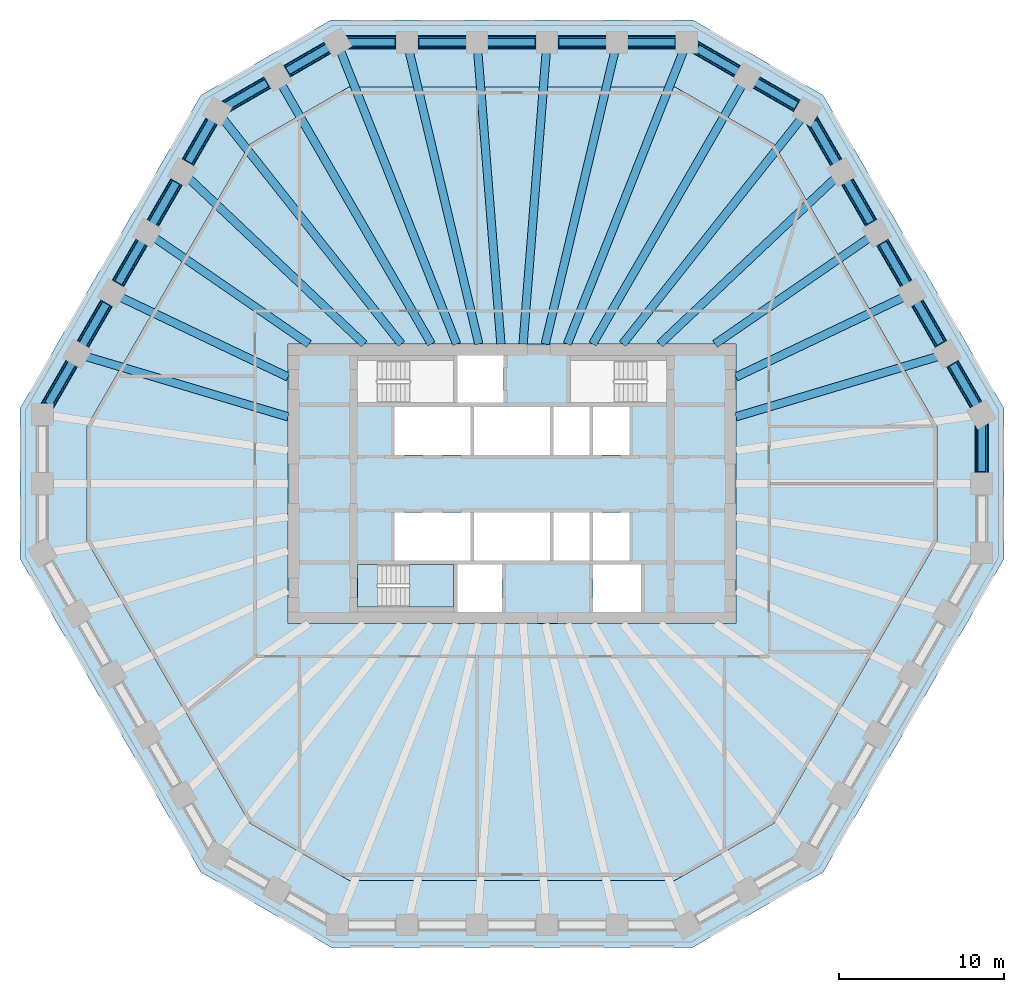
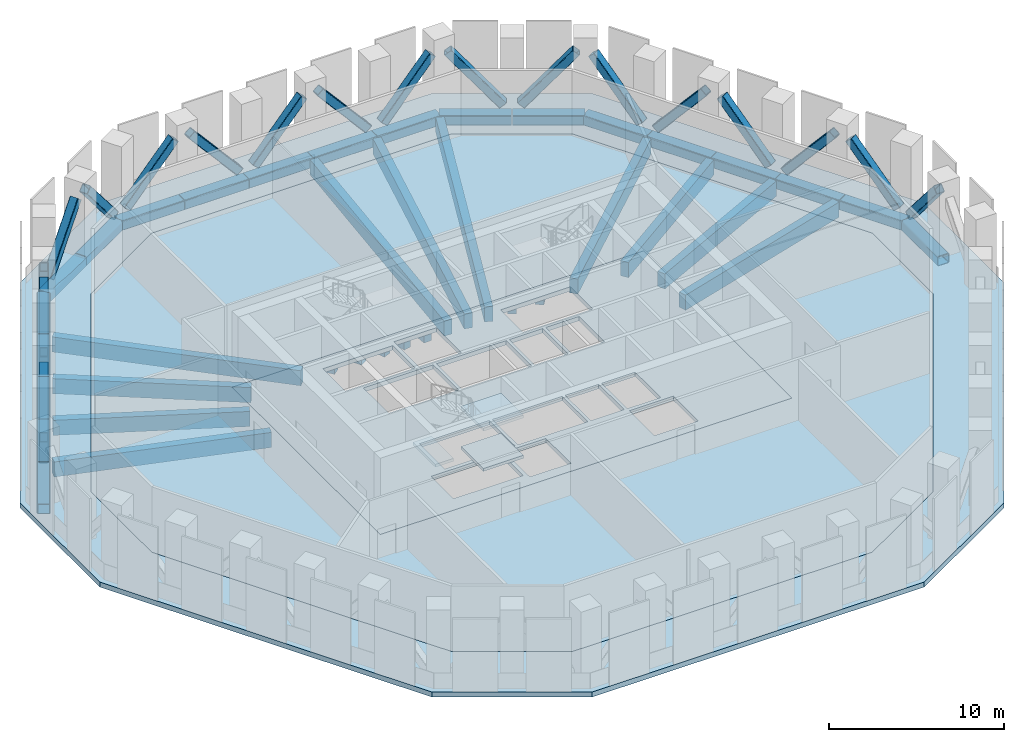
# One storey, part 2 of 8: 38 beams, 20 members, 6 slabs, 1 element without a shape of its own.
"""IFC4 building model written with IfcOpenShell, lengths in metres."""

from ifc_helpers import new_model, si_unit, direction, frame, origin, origin_2d, place, context, subcontext, project, spatial, polyline, rectangle, hollow_rectangle, outline, extrude, material, layer, layer_set, material_profile, profile_set, type_object, element, aggregate, save


model = new_model("IFC4")

# Units and contexts
model_context = context("Model", 3, precision=1e-05, world=origin(), true_north=direction((0.0, 1.0)))
body_context = subcontext(model_context, "Body", "Model", "MODEL_VIEW")
ifc_project = project(units=[si_unit("LENGTHUNIT", "METRE"), si_unit("AREAUNIT", "SQUARE_METRE"), si_unit("VOLUMEUNIT", "CUBIC_METRE"), si_unit("PLANEANGLEUNIT", "RADIAN"), si_unit("MASSUNIT", "GRAM", prefix="KILO")], contexts=[model_context])

# Site, building, storey
site_placement = place(None, origin())
site = spatial("IfcSite", under=ifc_project, at=site_placement, CompositionType="ELEMENT")
building_placement = place(site_placement, origin())
building = spatial("IfcBuilding", under=site, at=building_placement, Name="Frailejon Research Tower", CompositionType="ELEMENT")
storey_placement = place(building_placement, frame((0.0, 0.0, 139.60009765625)))
storey = spatial("IfcBuildingStorey", under=building, at=storey_placement, Name="L30", CompositionType="ELEMENT", Elevation=139.60009765625)

# Beams
ifc_material_1 = material(Name="Concrete C60/75", Category="concrete")
ifc_material_profile_1 = material_profile(ifc_material_1, rectangle(XDim=0.5, YDim=1.050048828125, at=origin_2d()), Name="Girder 500x1050")
ifc_profile_set_1 = profile_set([ifc_material_profile_1], Name="Concrete C60/75")
beam_type_1 = type_object("IfcBeamType", Name="Girder 500x1050", PredefinedType="BEAM", material=ifc_profile_set_1)
beam_1_placement = place(storey_placement, frame((25.775634765625, 7.697021484375, -0.8251953125), z_axis=(-0.9581878537, -0.286139890651, 0.0), x_axis=(0.286139890651, -0.9581878537, 0.0)))
element("IfcBeam", 1, at=beam_1_placement, inside=storey, type_object=beam_type_1, Name="Girder 500x1050", PredefinedType="BEAM", context=body_context, shape_type="SweptSolid", body=[
    extrude(rectangle(XDim=0.5, YDim=1.050048828125, at=origin_2d()), origin(), (0.0, 0.0, 1.0), 12.759033203125),
])
beam_2_placement = place(storey_placement, frame((23.705078125, 11.290771484375, -0.8251953125), z_axis=(-0.902819592178, -0.430019515813, 0.0), x_axis=(0.430019515813, -0.902819592178, 0.0)))
element("IfcBeam", 2, at=beam_2_placement, inside=storey, type_object=beam_type_1, Name="Girder 500x1050", PredefinedType="BEAM", context=body_context, shape_type="SweptSolid", body=[
    extrude(rectangle(XDim=0.5, YDim=1.050048828125, at=origin_2d()), origin(), (0.0, 0.0, 1.0), 11.248046875),
])
beam_3_placement = place(storey_placement, frame((21.630615234375, 14.8837890625, -0.8251953125), z_axis=(-0.82380963272, -0.566866553112, 0.0), x_axis=(0.566866553112, -0.82380963272, 0.0)))
element("IfcBeam", 3, at=beam_3_placement, inside=storey, type_object=beam_type_1, Name="Girder 500x1050", PredefinedType="BEAM", context=body_context, shape_type="SweptSolid", body=[
    extrude(rectangle(XDim=0.5, YDim=1.050048828125, at=origin_2d()), origin(), (0.0, 0.0, 1.0), 11.349853515625),
])
beam_4_placement = place(storey_placement, frame((19.5537109375, 18.47412109375, -0.8251953125), z_axis=(-0.726885115271, -0.686759076531, 0.0), x_axis=(0.686759076531, -0.726885115271, 0.0)))
element("IfcBeam", 4, at=beam_4_placement, inside=storey, type_object=beam_type_1, Name="Girder 500x1050", PredefinedType="BEAM", context=body_context, shape_type="SweptSolid", body=[
    extrude(rectangle(XDim=0.5, YDim=1.050048828125, at=origin_2d()), origin(), (0.0, 0.0, 1.0), 14.596435546875),
])
beam_5_placement = place(storey_placement, frame((17.50244140625, 22.09521484375, -0.8251953125), z_axis=(-0.620926719601, -0.783868617107, 0.0), x_axis=(0.783868617107, -0.620926719601, 0.0)))
element("IfcBeam", 5, at=beam_5_placement, inside=storey, type_object=beam_type_1, Name="Girder 500x1050", PredefinedType="BEAM", context=body_context, shape_type="SweptSolid", body=[
    extrude(rectangle(XDim=0.5, YDim=1.050048828125, at=origin_2d()), origin(), (0.0, 0.0, 1.0), 17.407470703125),
])
beam_6_placement = place(storey_placement, frame((13.94384765625, 24.151611328125, -0.8251953125), z_axis=(-0.499992877875, -0.866029515706, 0.0), x_axis=(0.866029515706, -0.499992877875, 0.0)))
element("IfcBeam", 6, at=beam_6_placement, inside=storey, type_object=beam_type_1, Name="Girder 500x1050", PredefinedType="BEAM", context=body_context, shape_type="SweptSolid", body=[
    extrude(rectangle(XDim=0.5, YDim=1.050048828125, at=origin_2d()), origin(), (0.0, 0.0, 1.0), 18.130615234375),
])
beam_7_placement = place(storey_placement, frame((10.36767578125, 26.16455078125, -0.8251953125), z_axis=(-0.36837774058, -0.929676201828, 0.0), x_axis=(0.929676201828, -0.36837774058, 0.0)))
element("IfcBeam", 7, at=beam_7_placement, inside=storey, type_object=beam_type_1, Name="Girder 500x1050", PredefinedType="BEAM", context=body_context, shape_type="SweptSolid", body=[
    extrude(rectangle(XDim=0.5, YDim=1.050048828125, at=origin_2d()), origin(), (0.0, 0.0, 1.0), 19.0546875),
])
beam_8_placement = place(storey_placement, frame((6.22216796875, 26.1708984375, -0.8251953125), z_axis=(-0.231301595685, -0.972882095546, 0.0), x_axis=(0.972882095546, -0.231301595685, 0.0)))
element("IfcBeam", 8, at=beam_8_placement, inside=storey, type_object=beam_type_1, Name="Girder 500x1050", PredefinedType="BEAM", context=body_context, shape_type="SweptSolid", body=[
    extrude(rectangle(XDim=0.5, YDim=1.050048828125, at=origin_2d()), origin(), (0.0, 0.0, 1.0), 18.21484375),
])
for number, where, z_axis, x_axis, name in (
    (9, (2.074462890625, 26.174560546875, -0.8251953125), (-0.079008439283, -0.996873947158, 0.0), (0.996873947158, -0.079008439283, 0.0), "Girder 500x1050"),
    (10, (-2.074462890625, 26.174560546875, -0.8251953125), (0.079008439283, -0.996873947158, 0.0), (0.996873947158, 0.079008439283, 0.0), "Girder 500x1050"),
):
    element("IfcBeam", number, at=place(storey_placement, frame(where, z_axis=z_axis, x_axis=x_axis)), inside=storey, type_object=beam_type_1, Name=name, PredefinedType="BEAM", context=body_context, shape_type="SweptSolid", body=[
        extrude(rectangle(XDim=0.5, YDim=1.050048828125, at=origin_2d()), origin(), (0.0, 0.0, 1.0), 17.7802734375),
    ])
beam_9_placement = place(storey_placement, frame((-6.22216796875, 26.1708984375, -0.8251953125), z_axis=(0.231301595685, -0.972882095546, 0.0), x_axis=(0.972882095546, 0.231301595685, 0.0)))
element("IfcBeam", 11, at=beam_9_placement, inside=storey, type_object=beam_type_1, Name="Girder 500x1050", PredefinedType="BEAM", context=body_context, shape_type="SweptSolid", body=[
    extrude(rectangle(XDim=0.5, YDim=1.050048828125, at=origin_2d()), origin(), (0.0, 0.0, 1.0), 18.21484375),
])
beam_10_placement = place(storey_placement, frame((-10.3837890625, 26.205078125, -0.8251953125), z_axis=(0.368380211647, -0.929675222681, 0.0), x_axis=(0.929675222681, 0.368380211647, 0.0)))
element("IfcBeam", 12, at=beam_10_placement, inside=storey, type_object=beam_type_1, Name="Girder 500x1050", PredefinedType="BEAM", context=body_context, shape_type="SweptSolid", body=[
    extrude(rectangle(XDim=0.5, YDim=1.050048828125, at=origin_2d()), origin(), (0.0, 0.0, 1.0), 19.09814453125),
])
beam_11_placement = place(storey_placement, frame((-13.94384765625, 24.151611328125, -0.8251953125), z_axis=(0.499992877875, -0.866029515706, 0.0), x_axis=(0.866029515706, 0.499992877875, 0.0)))
element("IfcBeam", 13, at=beam_11_placement, inside=storey, type_object=beam_type_1, Name="Girder 500x1050", PredefinedType="BEAM", context=body_context, shape_type="SweptSolid", body=[
    extrude(rectangle(XDim=0.5, YDim=1.050048828125, at=origin_2d()), origin(), (0.0, 0.0, 1.0), 18.130615234375),
])
beam_12_placement = place(storey_placement, frame((-17.47509765625, 22.060791015625, -0.8251953125), z_axis=(0.620924045573, -0.78387073528, 0.0), x_axis=(0.78387073528, 0.620924045573, 0.0)))
element("IfcBeam", 14, at=beam_12_placement, inside=storey, type_object=beam_type_1, Name="Girder 500x1050", PredefinedType="BEAM", context=body_context, shape_type="SweptSolid", body=[
    extrude(rectangle(XDim=0.5, YDim=1.050048828125, at=origin_2d()), origin(), (0.0, 0.0, 1.0), 17.363525390625),
])
beam_13_placement = place(storey_placement, frame((-19.5537109375, 18.47412109375, -0.8251953125), z_axis=(0.726885115271, -0.686759076531, 0.0), x_axis=(0.686759076531, 0.726885115271, 0.0)))
element("IfcBeam", 15, at=beam_13_placement, inside=storey, type_object=beam_type_1, Name="Girder 500x1050", PredefinedType="BEAM", context=body_context, shape_type="SweptSolid", body=[
    extrude(rectangle(XDim=0.5, YDim=1.050048828125, at=origin_2d()), origin(), (0.0, 0.0, 1.0), 14.596435546875),
])
beam_14_placement = place(storey_placement, frame((-21.630615234375, 14.8837890625, -0.8251953125), z_axis=(0.82380963272, -0.566866553112, 0.0), x_axis=(0.566866553112, 0.82380963272, 0.0)))
element("IfcBeam", 16, at=beam_14_placement, inside=storey, type_object=beam_type_1, Name="Girder 500x1050", PredefinedType="BEAM", context=body_context, shape_type="SweptSolid", body=[
    extrude(rectangle(XDim=0.5, YDim=1.050048828125, at=origin_2d()), origin(), (0.0, 0.0, 1.0), 11.349853515625),
])
beam_15_placement = place(storey_placement, frame((-23.705078125, 11.290771484375, -0.8251953125), z_axis=(0.902819592178, -0.430019515813, 0.0), x_axis=(0.430019515813, 0.902819592178, 0.0)))
element("IfcBeam", 17, at=beam_15_placement, inside=storey, type_object=beam_type_1, Name="Girder 500x1050", PredefinedType="BEAM", context=body_context, shape_type="SweptSolid", body=[
    extrude(rectangle(XDim=0.5, YDim=1.050048828125, at=origin_2d()), origin(), (0.0, 0.0, 1.0), 11.248046875),
])
beam_16_placement = place(storey_placement, frame((-25.775634765625, 7.697021484375, -0.8251953125), z_axis=(0.9581878537, -0.286139890651, 0.0), x_axis=(0.286139890651, 0.9581878537, 0.0)))
element("IfcBeam", 18, at=beam_16_placement, inside=storey, type_object=beam_type_1, Name="Girder 500x1050", PredefinedType="BEAM", context=body_context, shape_type="SweptSolid", body=[
    extrude(rectangle(XDim=0.5, YDim=1.050048828125, at=origin_2d()), origin(), (0.0, 0.0, 1.0), 12.759033203125),
])
ifc_material_2 = material(Name="Steel S355", Category="steel")
ifc_material_profile_2 = material_profile(ifc_material_2, hollow_rectangle(XDim=0.800048828125, YDim=0.699951171875, WallThickness=0.050048828125, InnerFilletRadius=0.050048828125, OuterFilletRadius=0.10009765625, at=origin_2d()), Name="Ring chord")
ifc_profile_set_2 = profile_set([ifc_material_profile_2], Name="Steel S355")
beam_type_2 = type_object("IfcBeamType", Name="Ring chord", PredefinedType="BEAM", material=ifc_profile_set_2)
beam_17_placement = place(storey_placement, frame((28.412841796875, 0.02001953125, -0.7001953125), z_axis=(0.0, 1.0, 0.0), x_axis=(-1.0, 0.0, 0.0)))
element("IfcBeam", 19, at=beam_17_placement, inside=storey, type_object=beam_type_2, Name="Ring chord", PredefinedType="BEAM", context=body_context, shape_type="SweptSolid", body=[
    extrude(hollow_rectangle(XDim=0.800048828125, YDim=0.699951171875, WallThickness=0.050048828125, InnerFilletRadius=0.050048828125, OuterFilletRadius=0.10009765625, at=origin_2d()), origin(), (0.0, 0.0, 1.0), 4.1474609375),
])
for number, where, z_axis, x_axis, name in (
    (20, (28.40283203125, 4.204833984375, -0.7001953125), (-0.499991329354, 0.866030409726, 0.0), (-0.866030409726, -0.499991329354, 0.0), "Ring chord"),
    (21, (26.286865234375, 7.869873046875, -0.7001953125), (-0.499991329354, 0.866030409726, 0.0), (-0.866030409726, -0.499991329354, 0.0), "Ring chord"),
    (22, (24.1708984375, 11.534912109375, -0.7001953125), (-0.499991329354, 0.866030409726, 0.0), (-0.866030409726, -0.499991329354, 0.0), "Ring chord"),
    (23, (22.054931640625, 15.19970703125, -0.7001953125), (-0.499991329354, 0.866030409726, 0.0), (-0.866030409726, -0.499991329354, 0.0), "Ring chord"),
    (24, (19.93896484375, 18.86474609375, -0.7001953125), (-0.499991329354, 0.866030409726, 0.0), (-0.866030409726, -0.499991329354, 0.0), "Ring chord"),
):
    element("IfcBeam", number, at=place(storey_placement, frame(where, z_axis=z_axis, x_axis=x_axis)), inside=storey, type_object=beam_type_2, Name=name, PredefinedType="BEAM", context=body_context, shape_type="SweptSolid", body=[
        extrude(hollow_rectangle(XDim=0.800048828125, YDim=0.699951171875, WallThickness=0.050048828125, InnerFilletRadius=0.050048828125, OuterFilletRadius=0.10009765625, at=origin_2d()), origin(), (0.0, 0.0, 1.0), 4.19189453125),
    ])
for number, where, z_axis, x_axis, name in (
    (25, (17.815673828125, 22.5224609375, -0.7001953125), (-0.866039536849, 0.499975520016, 0.0), (-0.499975520016, -0.866039536849, 0.0), "Ring chord"),
    (26, (14.189208984375, 24.6162109375, -0.7001953125), (-0.866039536849, 0.499975520016, 0.0), (-0.499975520016, -0.866039536849, 0.0), "Ring chord"),
):
    element("IfcBeam", number, at=place(storey_placement, frame(where, z_axis=z_axis, x_axis=x_axis)), inside=storey, type_object=beam_type_2, Name=name, PredefinedType="BEAM", context=body_context, shape_type="SweptSolid", body=[
        extrude(hollow_rectangle(XDim=0.800048828125, YDim=0.699951171875, WallThickness=0.050048828125, InnerFilletRadius=0.050048828125, OuterFilletRadius=0.10009765625, at=origin_2d()), origin(), (0.0, 0.0, 1.0), 4.147705078125),
    ])
for number, where, z_axis, x_axis, name in (
    (27, (10.559814453125, 26.699951171875, -0.7001953125), (-1.0, 0.0, 0.0), (0.0, -1.0, 0.0), "Ring chord"),
    (28, (6.327880859375, 26.699951171875, -0.7001953125), (-1.0, 0.0, 0.0), (0.0, -1.0, 0.0), "Ring chord"),
    (29, (2.095947265625, 26.699951171875, -0.7001953125), (-1.0, 0.0, 0.0), (0.0, -1.0, 0.0), "Ring chord"),
    (30, (-2.135986328125, 26.699951171875, -0.7001953125), (-1.0, 0.0, 0.0), (0.0, -1.0, 0.0), "Ring chord"),
    (31, (-6.367919921875, 26.699951171875, -0.7001953125), (-1.0, 0.0, 0.0), (0.0, -1.0, 0.0), "Ring chord"),
):
    element("IfcBeam", number, at=place(storey_placement, frame(where, z_axis=z_axis, x_axis=x_axis)), inside=storey, type_object=beam_type_2, Name=name, PredefinedType="BEAM", context=body_context, shape_type="SweptSolid", body=[
        extrude(hollow_rectangle(XDim=0.800048828125, YDim=0.699951171875, WallThickness=0.050048828125, InnerFilletRadius=0.050048828125, OuterFilletRadius=0.10009765625, at=origin_2d()), origin(), (0.0, 0.0, 1.0), 4.19189453125),
    ])
for number, where, z_axis, x_axis, name in (
    (32, (-10.59716796875, 26.68994140625, -0.7001953125), (-0.866039536849, -0.499975520016, 0.0), (0.499975520016, -0.866039536849, 0.0), "Ring chord"),
    (33, (-14.2236328125, 24.59619140625, -0.7001953125), (-0.866039536849, -0.499975520016, 0.0), (0.499975520016, -0.866039536849, 0.0), "Ring chord"),
):
    element("IfcBeam", number, at=place(storey_placement, frame(where, z_axis=z_axis, x_axis=x_axis)), inside=storey, type_object=beam_type_2, Name=name, PredefinedType="BEAM", context=body_context, shape_type="SweptSolid", body=[
        extrude(hollow_rectangle(XDim=0.800048828125, YDim=0.699951171875, WallThickness=0.050048828125, InnerFilletRadius=0.050048828125, OuterFilletRadius=0.10009765625, at=origin_2d()), origin(), (0.0, 0.0, 1.0), 4.147705078125),
    ])
for number, where, z_axis, x_axis, name in (
    (34, (-17.843017578125, 22.4951171875, -0.7001953125), (-0.499991329354, -0.866030409726, 0.0), (0.866030409726, -0.499991329354, 0.0), "Ring chord"),
    (35, (-19.958984375, 18.830078125, -0.7001953125), (-0.499991329354, -0.866030409726, 0.0), (0.866030409726, -0.499991329354, 0.0), "Ring chord"),
    (36, (-22.074951171875, 15.165283203125, -0.7001953125), (-0.499991329354, -0.866030409726, 0.0), (0.866030409726, -0.499991329354, 0.0), "Ring chord"),
    (37, (-24.19091796875, 11.500244140625, -0.7001953125), (-0.499991329354, -0.866030409726, 0.0), (0.866030409726, -0.499991329354, 0.0), "Ring chord"),
    (38, (-26.306884765625, 7.835205078125, -0.7001953125), (-0.499991329354, -0.866030409726, 0.0), (0.866030409726, -0.499991329354, 0.0), "Ring chord"),
):
    element("IfcBeam", number, at=place(storey_placement, frame(where, z_axis=z_axis, x_axis=x_axis)), inside=storey, type_object=beam_type_2, Name=name, PredefinedType="BEAM", context=body_context, shape_type="SweptSolid", body=[
        extrude(hollow_rectangle(XDim=0.800048828125, YDim=0.699951171875, WallThickness=0.050048828125, InnerFilletRadius=0.050048828125, OuterFilletRadius=0.10009765625, at=origin_2d()), origin(), (0.0, 0.0, 1.0), 4.19189453125),
    ])

# Members
ifc_material_3 = material(Name="Steel S355", Category="steel")
ifc_material_profile_3 = material_profile(ifc_material_3, hollow_rectangle(XDim=0.550048828125, YDim=0.550048828125, WallThickness=0.034912109375, InnerFilletRadius=0.034912109375, OuterFilletRadius=0.070068359375, at=origin_2d()), Name="Ring diagonal 5600")
ifc_profile_set_3 = profile_set([ifc_material_profile_3], Name="Steel S355")
member_type = type_object("IfcMemberType", Name="Ring diagonal 5600", PredefinedType="BRACE", material=ifc_profile_set_3)
member_1_placement = place(storey_placement, frame((28.412841796875, 0.52490234375, 3.935546875), z_axis=(0.0, 0.649691636189, -0.760197854421), x_axis=(-1.0, 0.0, 0.0)))
element("IfcMember", 39, at=member_1_placement, inside=storey, type_object=member_type, Name="Ring truss diagonal", PredefinedType="BRACE", context=body_context, shape_type="SweptSolid", body=[
    extrude(hollow_rectangle(XDim=0.550048828125, YDim=0.550048828125, WallThickness=0.034912109375, InnerFilletRadius=0.034912109375, OuterFilletRadius=0.070068359375, at=origin_2d()), origin(), (0.0, 0.0, 1.0), 4.82958984375),
])
for number, where, z_axis, x_axis, name in (
    (40, (28.150390625, 4.642333984375, 0.2578125), (-0.326851214031, 0.566033880859, 0.756818293652), (-0.865991350021, -0.500058978211, 0.0), "Ring truss diagonal"),
    (41, (26.0341796875, 8.30712890625, 3.94189453125), (-0.326797139383, 0.566077242512, -0.756809213211), (-0.866043759497, -0.499968205625, 0.0), "Ring truss diagonal"),
    (42, (23.91845703125, 11.97216796875, 0.2578125), (-0.326841935149, 0.566067964098, 0.756796808562), (-0.866010535501, -0.500025751738, 0.0), "Ring truss diagonal"),
    (43, (21.802490234375, 15.63720703125, 3.94189453125), (-0.326841935149, 0.566067964098, -0.756796808562), (-0.866010535501, -0.500025751738, 0.0), "Ring truss diagonal"),
):
    element("IfcMember", number, at=place(storey_placement, frame(where, z_axis=z_axis, x_axis=x_axis)), inside=storey, type_object=member_type, Name=name, PredefinedType="BRACE", context=body_context, shape_type="SweptSolid", body=[
        extrude(hollow_rectangle(XDim=0.550048828125, YDim=0.550048828125, WallThickness=0.034912109375, InnerFilletRadius=0.034912109375, OuterFilletRadius=0.070068359375, at=origin_2d()), origin(), (0.0, 0.0, 1.0), 4.867919921875),
    ])
member_2_placement = place(storey_placement, frame((19.686279296875, 19.30224609375, 0.2578125), z_axis=(-0.326806417297, 0.566043159241, 0.756830699357), x_axis=(-0.866024577697, -0.500001430823, 0.0)))
element("IfcMember", 44, at=member_2_placement, inside=storey, type_object=member_type, Name="Ring truss diagonal", PredefinedType="BRACE", context=body_context, shape_type="SweptSolid", body=[
    extrude(hollow_rectangle(XDim=0.550048828125, YDim=0.550048828125, WallThickness=0.034912109375, InnerFilletRadius=0.034912109375, OuterFilletRadius=0.070068359375, at=origin_2d()), origin(), (0.0, 0.0, 1.0), 4.86767578125),
])
for number, where, z_axis, x_axis, name in (
    (45, (17.378173828125, 22.77490234375, 3.935546875), (-0.562609435645, 0.324856522011, -0.760222903516), (-0.500039034646, -0.866002865948, 0.0), "Ring truss diagonal"),
    (46, (13.751708984375, 24.86865234375, 0.26416015625), (-0.562609435645, 0.324856522011, 0.760222903516), (-0.500039034646, -0.866002865948, 0.0), "Ring truss diagonal"),
):
    element("IfcMember", number, at=place(storey_placement, frame(where, z_axis=z_axis, x_axis=x_axis)), inside=storey, type_object=member_type, Name=name, PredefinedType="BRACE", context=body_context, shape_type="SweptSolid", body=[
        extrude(hollow_rectangle(XDim=0.550048828125, YDim=0.550048828125, WallThickness=0.034912109375, InnerFilletRadius=0.034912109375, OuterFilletRadius=0.070068359375, at=origin_2d()), origin(), (0.0, 0.0, 1.0), 4.829345703125),
    ])
member_3_placement = place(storey_placement, frame((10.054931640625, 26.699951171875, 3.94189453125), z_axis=(-0.653669485891, 0.0, -0.75678015514), x_axis=(0.0, -1.0, 0.0)))
element("IfcMember", 47, at=member_3_placement, inside=storey, type_object=member_type, Name="Ring truss diagonal", PredefinedType="BRACE", context=body_context, shape_type="SweptSolid", body=[
    extrude(hollow_rectangle(XDim=0.550048828125, YDim=0.550048828125, WallThickness=0.034912109375, InnerFilletRadius=0.034912109375, OuterFilletRadius=0.070068359375, at=origin_2d()), origin(), (0.0, 0.0, 1.0), 4.8681640625),
])
member_4_placement = place(storey_placement, frame((5.822998046875, 26.699951171875, 0.2578125), z_axis=(-0.653640762129, 0.0, 0.756804964362), x_axis=(0.0, -1.0, 0.0)))
element("IfcMember", 48, at=member_4_placement, inside=storey, type_object=member_type, Name="Ring truss diagonal", PredefinedType="BRACE", context=body_context, shape_type="SweptSolid", body=[
    extrude(hollow_rectangle(XDim=0.550048828125, YDim=0.550048828125, WallThickness=0.034912109375, InnerFilletRadius=0.034912109375, OuterFilletRadius=0.070068359375, at=origin_2d()), origin(), (0.0, 0.0, 1.0), 4.867919921875),
])
member_5_placement = place(storey_placement, frame((1.591064453125, 26.699951171875, 3.94189453125), z_axis=(-0.653669485891, 0.0, -0.75678015514), x_axis=(0.0, -1.0, 0.0)))
element("IfcMember", 49, at=member_5_placement, inside=storey, type_object=member_type, Name="Ring truss diagonal", PredefinedType="BRACE", context=body_context, shape_type="SweptSolid", body=[
    extrude(hollow_rectangle(XDim=0.550048828125, YDim=0.550048828125, WallThickness=0.034912109375, InnerFilletRadius=0.034912109375, OuterFilletRadius=0.070068359375, at=origin_2d()), origin(), (0.0, 0.0, 1.0), 4.8681640625),
])
member_6_placement = place(storey_placement, frame((-2.64111328125, 26.699951171875, 0.2578125), z_axis=(-0.653640762129, 0.0, 0.756804964362), x_axis=(0.0, -1.0, 0.0)))
element("IfcMember", 50, at=member_6_placement, inside=storey, type_object=member_type, Name="Ring truss diagonal", PredefinedType="BRACE", context=body_context, shape_type="SweptSolid", body=[
    extrude(hollow_rectangle(XDim=0.550048828125, YDim=0.550048828125, WallThickness=0.034912109375, InnerFilletRadius=0.034912109375, OuterFilletRadius=0.070068359375, at=origin_2d()), origin(), (0.0, 0.0, 1.0), 4.867919921875),
])
member_7_placement = place(storey_placement, frame((-6.872802734375, 26.699951171875, 3.94189453125), z_axis=(-0.653669485891, 0.0, -0.75678015514), x_axis=(0.0, -1.0, 0.0)))
element("IfcMember", 51, at=member_7_placement, inside=storey, type_object=member_type, Name="Ring truss diagonal", PredefinedType="BRACE", context=body_context, shape_type="SweptSolid", body=[
    extrude(hollow_rectangle(XDim=0.550048828125, YDim=0.550048828125, WallThickness=0.034912109375, InnerFilletRadius=0.034912109375, OuterFilletRadius=0.070068359375, at=origin_2d()), origin(), (0.0, 0.0, 1.0), 4.8681640625),
])
for number, where, z_axis, x_axis, name in (
    (52, (-11.03466796875, 26.4375, 0.26416015625), (-0.562609435645, -0.324856522011, 0.760222903516), (0.500039034646, -0.866002865948, 0.0), "Ring truss diagonal"),
    (53, (-14.6611328125, 24.34375, 3.935546875), (-0.562609435645, -0.324856522011, -0.760222903516), (0.500039034646, -0.866002865948, 0.0), "Ring truss diagonal"),
):
    element("IfcMember", number, at=place(storey_placement, frame(where, z_axis=z_axis, x_axis=x_axis)), inside=storey, type_object=member_type, Name=name, PredefinedType="BRACE", context=body_context, shape_type="SweptSolid", body=[
        extrude(hollow_rectangle(XDim=0.550048828125, YDim=0.550048828125, WallThickness=0.034912109375, InnerFilletRadius=0.034912109375, OuterFilletRadius=0.070068359375, at=origin_2d()), origin(), (0.0, 0.0, 1.0), 4.829345703125),
    ])
member_8_placement = place(storey_placement, frame((-18.095458984375, 22.0576171875, 0.2578125), z_axis=(-0.326806417297, -0.566043159241, 0.756830699357), x_axis=(0.866024577697, -0.500001430823, 0.0)))
element("IfcMember", 54, at=member_8_placement, inside=storey, type_object=member_type, Name="Ring truss diagonal", PredefinedType="BRACE", context=body_context, shape_type="SweptSolid", body=[
    extrude(hollow_rectangle(XDim=0.550048828125, YDim=0.550048828125, WallThickness=0.034912109375, InnerFilletRadius=0.034912109375, OuterFilletRadius=0.070068359375, at=origin_2d()), origin(), (0.0, 0.0, 1.0), 4.86767578125),
])
for number, where, z_axis, x_axis, name in (
    (55, (-20.21142578125, 18.392822265625, 3.94189453125), (-0.326841935149, -0.566067964098, -0.756796808562), (0.866010535501, -0.500025751738, 0.0), "Ring truss diagonal"),
    (56, (-22.327392578125, 14.727783203125, 0.2578125), (-0.326841935149, -0.566067964098, 0.756796808562), (0.866010535501, -0.500025751738, 0.0), "Ring truss diagonal"),
    (57, (-24.443359375, 11.062744140625, 3.94189453125), (-0.326797139383, -0.566077242512, -0.756809213211), (0.866043759497, -0.499968205625, 0.0), "Ring truss diagonal"),
    (58, (-26.559326171875, 7.397705078125, 0.2578125), (-0.326851214031, -0.566033880859, 0.756818293652), (0.865991350021, -0.500058978211, 0.0), "Ring truss diagonal"),
):
    element("IfcMember", number, at=place(storey_placement, frame(where, z_axis=z_axis, x_axis=x_axis)), inside=storey, type_object=member_type, Name=name, PredefinedType="BRACE", context=body_context, shape_type="SweptSolid", body=[
        extrude(hollow_rectangle(XDim=0.550048828125, YDim=0.550048828125, WallThickness=0.034912109375, InnerFilletRadius=0.034912109375, OuterFilletRadius=0.070068359375, at=origin_2d()), origin(), (0.0, 0.0, 1.0), 4.867919921875),
    ])

# Slabs
ifc_material_4 = material(Name="Concrete C60/75", Category="concrete")
ifc_layer_1 = layer(ifc_material_4, 0.300048828125)
ifc_layer_set_1 = layer_set([ifc_layer_1], Name="Core floor slab 300 C60/75")
slab_type_1 = type_object("IfcSlabType", Name="Core floor slab 300 C60/75", PredefinedType="FLOOR", material=ifc_layer_set_1)
slab_1_placement = place(storey_placement, frame((0.0, 0.0, -0.300048828125)))
element("IfcSlab", 59, at=slab_1_placement, inside=storey, type_object=slab_type_1, Name="Core floor slab", PredefinedType="FLOOR", context=body_context, shape_type="SweptSolid", body=[
    extrude(outline(polyline([(13.550048828125, -8.449951171875), (13.550048828125, 8.449951171875), (-13.550048828125, 8.449951171875), (-13.550048828125, -8.449951171875), (13.550048828125, -8.449951171875)]), holes=[polyline([(-2.5, 1.75), (-2.5, 4.64990234375), (-7.10009765625, 4.64990234375), (-7.10009765625, 1.75), (-2.5, 1.75)]), polyline([(2.300048828125, 1.75), (2.300048828125, 4.64990234375), (-2.300048828125, 4.64990234375), (-2.300048828125, 1.75), (2.300048828125, 1.75)]), polyline([(4.699951171875, 1.75), (4.699951171875, 4.64990234375), (2.5, 4.64990234375), (2.5, 1.75), (4.699951171875, 1.75)]), polyline([(7.10009765625, 1.75), (7.10009765625, 4.64990234375), (4.89990234375, 4.64990234375), (4.89990234375, 1.75), (7.10009765625, 1.75)]), polyline([(-2.5, -4.64990234375), (-2.5, -1.75), (-7.10009765625, -1.75), (-7.10009765625, -4.64990234375), (-2.5, -4.64990234375)]), polyline([(2.300048828125, -4.64990234375), (2.300048828125, -1.75), (-2.300048828125, -1.75), (-2.300048828125, -4.64990234375), (2.300048828125, -4.64990234375)]), polyline([(4.699951171875, -4.64990234375), (4.699951171875, -1.75), (2.5, -1.75), (2.5, -4.64990234375), (4.699951171875, -4.64990234375)]), polyline([(7.10009765625, -4.64990234375), (7.10009765625, -1.75), (4.89990234375, -1.75), (4.89990234375, -4.64990234375), (7.10009765625, -4.64990234375)]), polyline([(-8.14697265625, 4.89990234375), (-3.550048828125, 4.89990234375), (-3.550048828125, 7.449951171875), (-8.14697265625, 7.449951171875), (-8.14697265625, 4.89990234375)]), polyline([(-8.14697265625, -7.449951171875), (-3.550048828125, -7.449951171875), (-3.550048828125, -4.89990234375), (-8.14697265625, -4.89990234375), (-8.14697265625, -7.449951171875)]), polyline([(8.14697265625, 7.449951171875), (3.550048828125, 7.449951171875), (3.550048828125, 4.89990234375), (8.14697265625, 4.89990234375), (8.14697265625, 7.449951171875)]), polyline([(-0.60009765625, -7.75), (-0.60009765625, -4.89990234375), (-3.300048828125, -4.89990234375), (-3.300048828125, -7.75), (-0.60009765625, -7.75)]), polyline([(7.800048828125, -7.75), (7.800048828125, -4.89990234375), (4.89990234375, -4.89990234375), (4.89990234375, -7.75), (7.800048828125, -7.75)]), polyline([(-0.5, 4.89990234375), (-0.5, 7.75), (-3.300048828125, 7.75), (-3.300048828125, 4.89990234375), (-0.5, 4.89990234375)])]), origin(), (0.0, 0.0, 1.0), 0.300048828125),
])
ifc_material_5 = material(Name="Concrete C40/50", Category="concrete")
ifc_layer_2 = layer(ifc_material_5, 0.35009765625)
ifc_layer_set_2 = layer_set([ifc_layer_2], Name="Plant gallery slab 350")
slab_type_2 = type_object("IfcSlabType", Name="Plant gallery slab 350", PredefinedType="FLOOR", material=ifc_layer_set_2)
slab_2_placement = place(storey_placement, frame((0.0, 0.0, -0.35009765625)))
element("IfcSlab", 60, at=slab_2_placement, inside=storey, type_object=slab_type_2, Name="Plant gallery slab L30", PredefinedType="FLOOR", context=body_context, shape_type="SweptSolid", body=[
    extrude(outline(polyline([(18.8212890625, -23.500732421875), (10.941650390625, -28.050048828125), (-10.941650390625, -28.050048828125), (-18.8212890625, -23.500732421875), (-29.7626953125, -4.54931640625), (-29.7626953125, 4.54931640625), (-18.8212890625, 23.500732421875), (-10.941650390625, 28.050048828125), (10.941650390625, 28.050048828125), (18.8212890625, 23.500732421875), (29.7626953125, 4.54931640625), (29.7626953125, -4.54931640625), (18.8212890625, -23.500732421875)]), holes=[polyline([(25.712890625, 3.464111328125), (15.8564453125, 20.535888671875), (9.8564453125, 24.0), (-9.8564453125, 24.0), (-15.8564453125, 20.535888671875), (-25.712890625, 3.464111328125), (-25.712890625, -3.464111328125), (-15.8564453125, -20.535888671875), (-9.8564453125, -24.0), (9.8564453125, -24.0), (15.8564453125, -20.535888671875), (25.712890625, -3.464111328125), (25.712890625, 3.464111328125)])]), origin(), (0.0, 0.0, 1.0), 0.35009765625),
])
ifc_material_6 = material(Name="Concrete C40/50", Category="concrete")
ifc_layer_3 = layer(ifc_material_6, 0.300048828125)
ifc_layer_set_3 = layer_set([ifc_layer_3], Name="Slab typical 300")
slab_type_3 = type_object("IfcSlabType", Name="Slab typical 300", PredefinedType="FLOOR", material=ifc_layer_set_3)
slab_3_placement = place(storey_placement, frame((0.0, 0.0, -0.300048828125)))
element("IfcSlab", 61, at=slab_3_placement, inside=storey, type_object=slab_type_3, Name="Floor slab L30", PredefinedType="FLOOR", context=body_context, shape_type="SweptSolid", body=[
    extrude(outline(polyline([(25.712890625, -3.464111328125), (25.712890625, 3.464111328125), (15.8564453125, 20.535888671875), (9.8564453125, 24.0), (-9.8564453125, 24.0), (-15.8564453125, 20.535888671875), (-25.712890625, 3.464111328125), (-25.712890625, -3.464111328125), (-15.8564453125, -20.535888671875), (-9.8564453125, -24.0), (9.8564453125, -24.0), (15.8564453125, -20.535888671875), (25.712890625, -3.464111328125)]), holes=[polyline([(13.550048828125, -8.449951171875), (-13.550048828125, -8.449951171875), (-13.550048828125, 8.449951171875), (13.550048828125, 8.449951171875), (13.550048828125, -8.449951171875)])]), origin(), (0.0, 0.0, 1.0), 0.300048828125),
])

# Stair, slabs
ifc_material_7 = material(Name="Concrete C50/60", Category="concrete")
stair_type = type_object("IfcStairType", Name="Exit stair 32 risers", PredefinedType="HALF_TURN_STAIR", material=ifc_material_7)
stair_placement = place(storey_placement, origin())
stair = element("IfcStair", 62, at=stair_placement, inside=storey, type_object=stair_type, Name="L30 Exit stair ST2", PredefinedType="HALF_TURN_STAIR")
ifc_material_8 = material(Name="Concrete C50/60", Category="concrete")
ifc_layer_4 = layer(ifc_material_8, 0.199951171875)
ifc_layer_set_4 = layer_set([ifc_layer_4], Name="Stair landing slab 200")
slab_type_4 = type_object("IfcSlabType", Name="Stair landing slab 200", PredefinedType="LANDING", material=ifc_layer_set_4)
slab_4_placement = place(storey_placement, frame((0.0, 0.0, 1.199951171875)))
slab_4 = element("IfcSlab", 63, at=slab_4_placement, type_object=slab_type_4, Name="ST2 landing 1", PredefinedType="LANDING", context=body_context, shape_type="SweptSolid", body=[
    extrude(outline(polyline([(-6.18994140625, -7.449951171875), (-3.550048828125, -7.449951171875), (-3.550048828125, -4.89990234375), (-6.18994140625, -4.89990234375), (-6.18994140625, -7.449951171875)])), origin(), (0.0, 0.0, 1.0), 0.199951171875),
])
slab_5_placement = place(storey_placement, frame((0.0, 0.0, 2.599853515625)))
slab_5 = element("IfcSlab", 64, at=slab_5_placement, type_object=slab_type_4, Name="ST2 landing 2", PredefinedType="LANDING", context=body_context, shape_type="SweptSolid", body=[
    extrude(outline(polyline([(-9.35009765625, -7.449951171875), (-8.14990234375, -7.449951171875), (-8.14990234375, -4.89990234375), (-9.35009765625, -4.89990234375), (-9.35009765625, -7.449951171875)])), origin(), (0.0, 0.0, 1.0), 0.199951171875),
])
slab_6_placement = place(storey_placement, frame((0.0, 0.0, 4.0)))
slab_6 = element("IfcSlab", 65, at=slab_6_placement, type_object=slab_type_4, Name="ST2 landing 3", PredefinedType="LANDING", context=body_context, shape_type="SweptSolid", body=[
    extrude(outline(polyline([(-6.18994140625, -7.449951171875), (-3.550048828125, -7.449951171875), (-3.550048828125, -4.89990234375), (-6.18994140625, -4.89990234375), (-6.18994140625, -7.449951171875)])), origin(), (0.0, 0.0, 1.0), 0.199951171875),
])
aggregate(stair, [slab_4, slab_5, slab_6])

save(model, "model.ifc")
